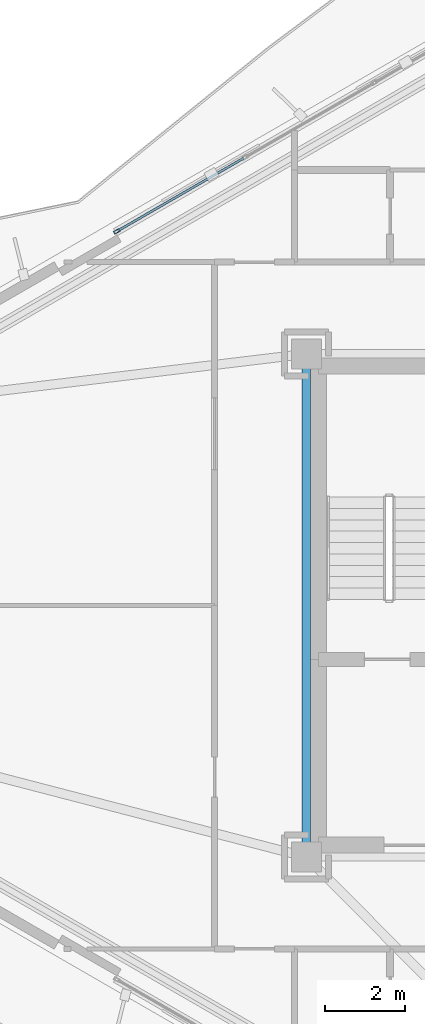
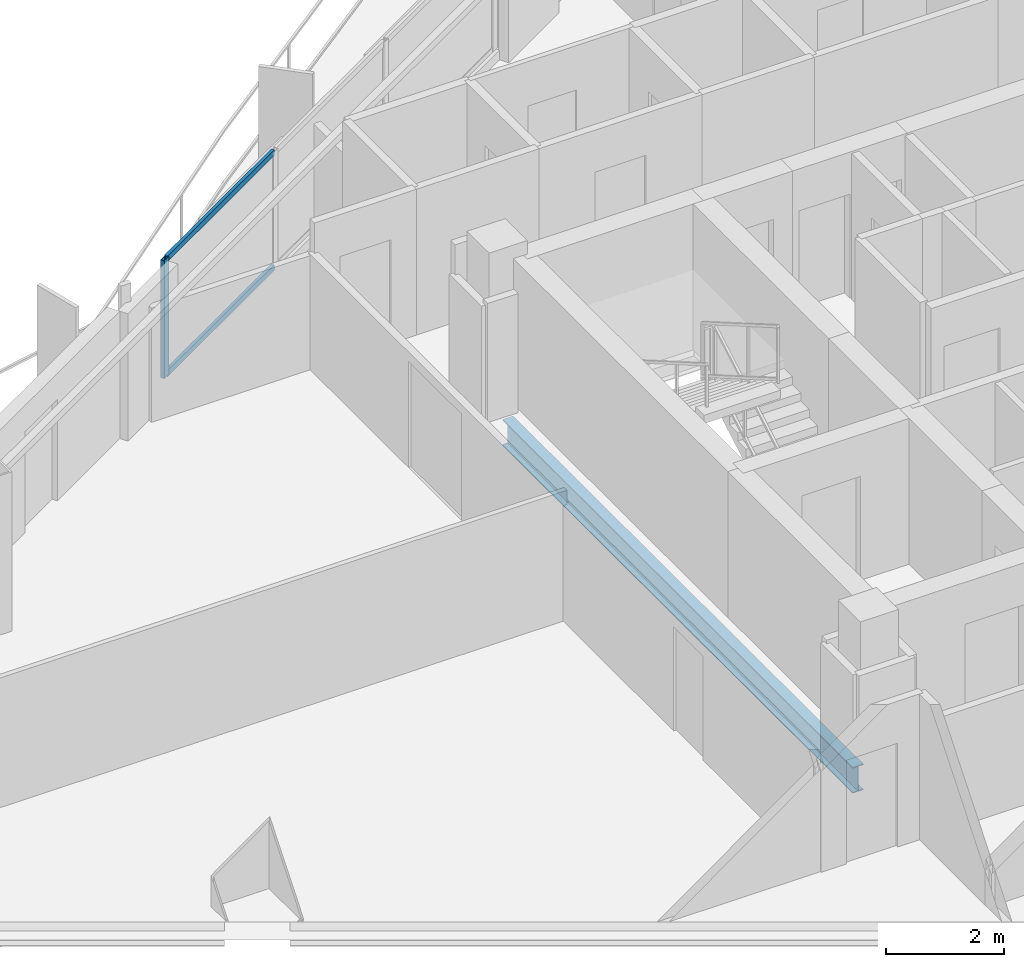
# One storey, part 6 of 22: 3 members, 1 beam, 1 element without a shape of its own.
"""IFC4 building model written with IfcOpenShell, lengths in metres."""

from ifc_helpers import new_model, si_unit, direction, frame, origin, origin_2d, place, context, subcontext, project, spatial, hollow_rectangle, i_section, extrude, material, layer, layer_set, material_profile, profile_set, type_object, element, aggregate, save


model = new_model("IFC4")

# Units and contexts
model_context = context("Model", 3, precision=1e-05, world=origin(), true_north=direction((0.0, 1.0)))
body_context = subcontext(model_context, "Body", "Model", "MODEL_VIEW")
ifc_project = project(units=[si_unit("LENGTHUNIT", "METRE"), si_unit("AREAUNIT", "SQUARE_METRE"), si_unit("VOLUMEUNIT", "CUBIC_METRE"), si_unit("PLANEANGLEUNIT", "RADIAN"), si_unit("MASSUNIT", "GRAM", prefix="KILO")], contexts=[model_context])

# Site, building, storey
site_placement = place(None, origin())
site = spatial("IfcSite", under=ifc_project, at=site_placement, CompositionType="ELEMENT")
building_placement = place(site_placement, origin())
building = spatial("IfcBuilding", under=site, at=building_placement, Name="Mersakhor Tower and Convention Hall", CompositionType="ELEMENT")
storey_placement = place(building_placement, frame((0.0, 0.0, 113.10009765625)))
storey = spatial("IfcBuildingStorey", under=building, at=storey_placement, Name="L31", CompositionType="ELEMENT", Elevation=113.10009765625)

# Beam
ifc_material_1 = material(Name="Steel S355", Category="steel")
ifc_material_profile_1 = material_profile(ifc_material_1, i_section(OverallWidth=0.2099609375, OverallDepth=0.53662109375, WebThickness=0.0107421875, FlangeThickness=0.017333984375, at=origin_2d()), Name="UB 533x210x101")
ifc_profile_set_1 = profile_set([ifc_material_profile_1], Name="Steel S355")
beam_type = type_object("IfcBeamType", Name="BM-FB-533", PredefinedType="BEAM", material=ifc_profile_set_1)
beam_placement = place(storey_placement, frame((21.89990234375, 20.804931640625, -0.5185546875), z_axis=(0.0, 1.0, 0.0), x_axis=(-1.0, 0.0, 0.0)))
element("IfcBeam", 1, at=beam_placement, inside=storey, type_object=beam_type, Name="L31 Core Ring Tie Beam CRB-1", PredefinedType="BEAM", context=body_context, shape_type="SweptSolid", body=[
    extrude(i_section(OverallWidth=0.2099609375, OverallDepth=0.53662109375, WebThickness=0.0107421875, FlangeThickness=0.017333984375, at=origin_2d()), origin(), (0.0, 0.0, 1.0), 11.89013671875),
])

# Curtain wall, members
ifc_material_2 = material(Name="Dark solar low-E aluminium curtain wall", Category="aluminium")
ifc_layer = layer(ifc_material_2, 0.159912109375)
ifc_layer_set = layer_set([ifc_layer], Name="Dark solar low-E aluminium curtain wall")
curtain_wall_type = type_object("IfcCurtainWallType", Name="CW-SYS-01", PredefinedType="USERDEFINED", material=ifc_layer_set)
curtain_wall_placement = place(storey_placement, origin())
curtain_wall = element("IfcCurtainWall", 2, at=curtain_wall_placement, inside=storey, type_object=curtain_wall_type, Name="L31 Dark-Glass Curtain Wall F1-B2", ObjectType="CURTAIN WALL", PredefinedType="USERDEFINED")
ifc_material_3 = material(Name="Anodised aluminium EN AW-6063 T6", Category="aluminium")
ifc_material_profile_2 = material_profile(ifc_material_3, hollow_rectangle(XDim=0.074951171875, YDim=0.14990234375, WallThickness=0.00634765625, at=origin_2d()), Name="RHS 150x75x6.3")
ifc_profile_set_2 = profile_set([ifc_material_profile_2], Name="Anodised aluminium EN AW-6063 T6")
member_type_1 = type_object("IfcMemberType", Name="CWM-150x75", PredefinedType="MULLION", material=ifc_profile_set_2)
member_1_placement = place(storey_placement, frame((17.152587890625, 36.11572265625, 0.199951171875), z_axis=(0.0, 0.0, 1.0), x_axis=(-0.499997904985, 0.866026613339, 0.0)))
member_1 = element("IfcMember", 3, at=member_1_placement, type_object=member_type_1, Name="CW-01 mullion 1", PredefinedType="MULLION", context=body_context, shape_type="SweptSolid", body=[
    extrude(hollow_rectangle(XDim=0.074951171875, YDim=0.14990234375, WallThickness=0.00634765625, at=origin_2d()), origin(), (0.0, 0.0, 1.0), 2.43994140625),
])
ifc_material_4 = material(Name="Anodised aluminium EN AW-6063 T6", Category="aluminium")
ifc_material_profile_3 = material_profile(ifc_material_4, hollow_rectangle(XDim=0.06005859375, YDim=0.1201171875, WallThickness=0.0048828125, at=origin_2d()), Name="RHS 120x60x5")
ifc_profile_set_3 = profile_set([ifc_material_profile_3], Name="Anodised aluminium EN AW-6063 T6")
member_type_2 = type_object("IfcMemberType", Name="CWT-120x60", PredefinedType="USERDEFINED", material=ifc_profile_set_3)
member_2_placement = place(storey_placement, frame((17.18505859375, 36.134521484375, 0.22998046875), z_axis=(0.866045614266, 0.499964992784, 0.0), x_axis=(-0.499964992784, 0.866045614266, 0.0)))
member_2 = element("IfcMember", 4, at=member_2_placement, type_object=member_type_2, Name="CW-01 transom 1.1", ObjectType="TRANSOM", PredefinedType="USERDEFINED", context=body_context, shape_type="SweptSolid", body=[
    extrude(hollow_rectangle(XDim=0.06005859375, YDim=0.1201171875, WallThickness=0.0048828125, at=origin_2d()), origin(), (0.0, 0.0, 1.0), 3.630615234375),
])
member_3_placement = place(storey_placement, frame((17.18505859375, 36.134521484375, 2.60986328125), z_axis=(0.866045614266, 0.499964992784, 0.0), x_axis=(-0.499964992784, 0.866045614266, 0.0)))
member_3 = element("IfcMember", 5, at=member_3_placement, type_object=member_type_2, Name="CW-01 transom 1.2", ObjectType="TRANSOM", PredefinedType="USERDEFINED", context=body_context, shape_type="SweptSolid", body=[
    extrude(hollow_rectangle(XDim=0.06005859375, YDim=0.1201171875, WallThickness=0.0048828125, at=origin_2d()), origin(), (0.0, 0.0, 1.0), 3.630615234375),
])
aggregate(curtain_wall, [member_1, member_2, member_3])

save(model, "model.ifc")
